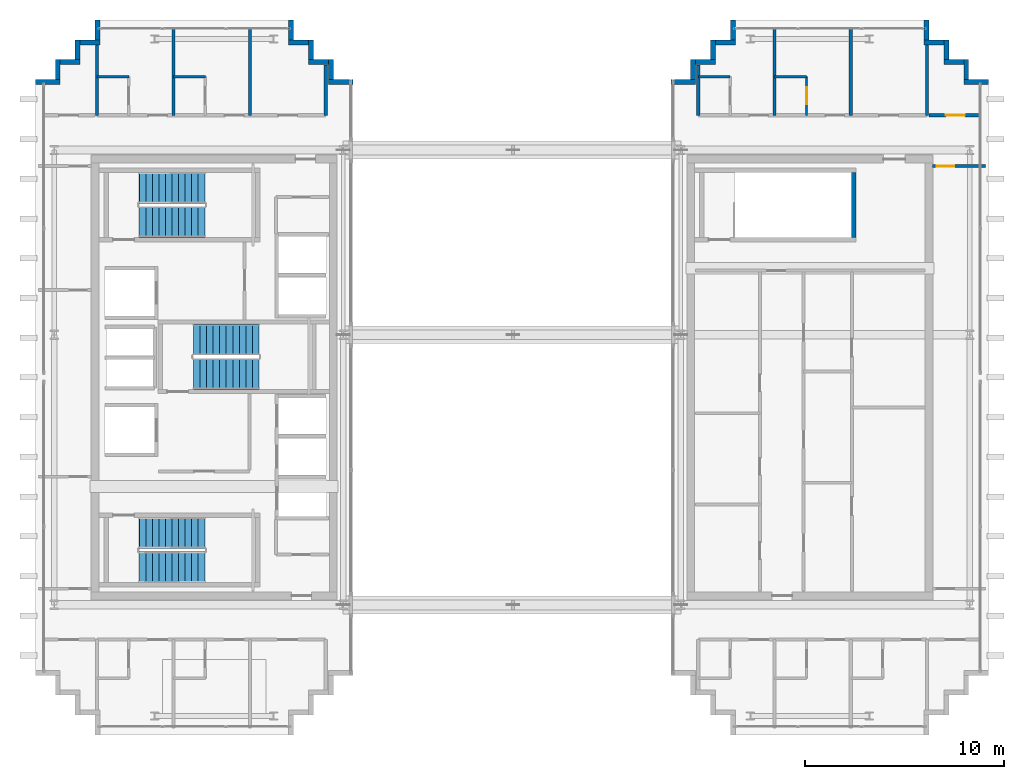
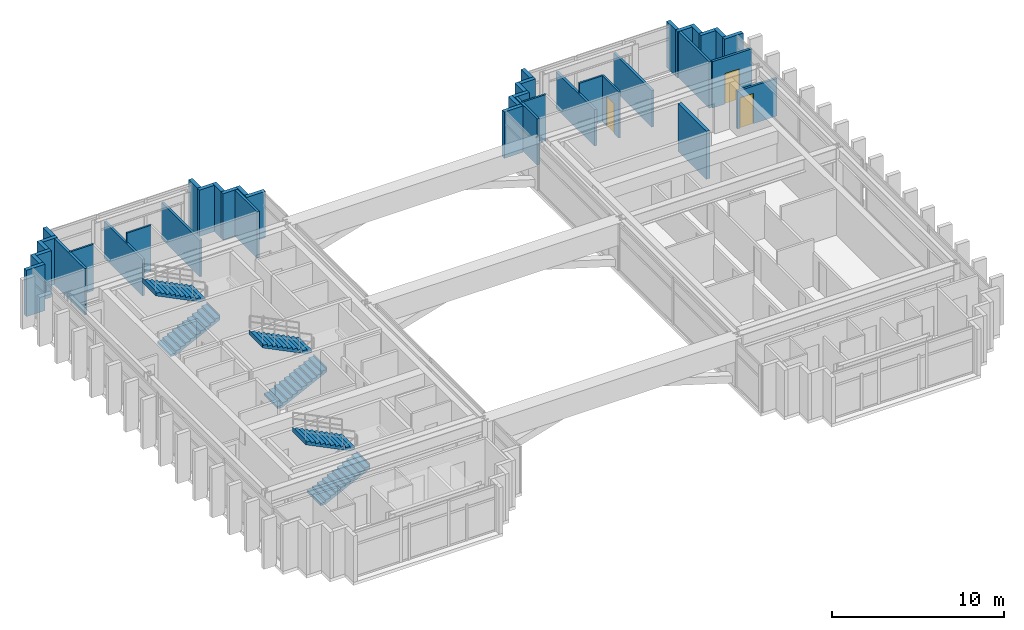
# One storey, part 26 of 28: 40 walls, 6 stair flights, 3 doors, 3 openings, 3 elements without a shape of their own.
"""IFC4 building model written with IfcOpenShell, lengths in metres."""

from ifc_helpers import new_model, si_unit, direction, frame, frame_2d, origin, place, context, subcontext, project, spatial, polyline, rectangle, outline, extrude, source, transform, mapped, material, layer, layer_set, type_object, element, fill, aggregate, save


model = new_model("IFC4")

# Units and contexts
model_context = context("Model", 3, precision=1e-05, world=origin(), true_north=direction((0.0, 1.0)))
body_context = subcontext(model_context, "Body", "Model", "MODEL_VIEW")
ifc_project = project(units=[si_unit("LENGTHUNIT", "METRE"), si_unit("AREAUNIT", "SQUARE_METRE"), si_unit("VOLUMEUNIT", "CUBIC_METRE"), si_unit("PLANEANGLEUNIT", "RADIAN"), si_unit("MASSUNIT", "GRAM", prefix="KILO")], contexts=[model_context])

# Site, building, storey
site_placement = place(None, origin())
site = spatial("IfcSite", under=ifc_project, at=site_placement, CompositionType="ELEMENT")
building_placement = place(site_placement, origin())
building = spatial("IfcBuilding", under=site, at=building_placement, Name="Ocotamira Hotel", CompositionType="ELEMENT")
storey_placement = place(building_placement, frame((0.0, 0.0, 268.800048828125)))
storey = spatial("IfcBuildingStorey", under=building, at=storey_placement, Name="L68", CompositionType="ELEMENT", Elevation=268.800048828125)

# Walls
ifc_material_1 = material(Name="Precast concrete C45/55", Category="concrete")
ifc_layer_1 = layer(ifc_material_1, 0.25)
ifc_layer_set_1 = layer_set([ifc_layer_1], Name="Precast concrete C45/55")
wall_type_1 = type_object("IfcWallType", Name="WL-EXT-SER-250", PredefinedType="SOLIDWALL", material=ifc_layer_set_1)
wall_1_placement = place(storey_placement, frame((24.0, 40.875, 0.0), z_axis=(0.0, 0.0, 1.0), x_axis=(-1.0, 0.0, 0.0)))
element("IfcWall", 1, at=wall_1_placement, inside=storey, type_object=wall_type_1, Name="L68 -W Serrated Corner Wall 07", PredefinedType="SOLIDWALL", context=body_context, shape_type="SweptSolid", body=[
    extrude(rectangle(XDim=1.25, YDim=0.25, at=frame_2d((0.625, 0.0))), origin(), (0.0, 0.0, 1.0), 3.280029296875),
])
for number, where, z_axis, x_axis, name in (
    (2, (22.875, 41.0, 0.0), (0.0, 0.0, 1.0), (0.0, 1.0, 0.0), "L68 -W Serrated Corner Wall 08"),
    (3, (22.75, 41.875, 0.0), (0.0, 0.0, 1.0), (-1.0, 0.0, 0.0), "L68 -W Serrated Corner Wall 09"),
    (4, (21.875, 42.0, 0.0), (0.0, 0.0, 1.0), (0.0, 1.0, 0.0), "L68 -W Serrated Corner Wall 10"),
    (5, (21.75, 42.875, 0.0), (0.0, 0.0, 1.0), (-1.0, 0.0, 0.0), "L68 -W Serrated Corner Wall 11"),
    (6, (20.875, 43.0, 0.0), (0.0, 0.0, 1.0), (0.0, 1.0, 0.0), "L68 -W Serrated Corner Wall 12"),
    (7, (11.125, 44.0, 0.0), (0.0, 0.0, 1.0), (0.0, -1.0, 0.0), "L68 -W Serrated Corner Wall 13"),
    (8, (11.25, 42.875, 0.0), (0.0, 0.0, 1.0), (-1.0, 0.0, 0.0), "L68 -W Serrated Corner Wall 14"),
    (9, (10.125, 43.0, 0.0), (0.0, 0.0, 1.0), (0.0, -1.0, 0.0), "L68 -W Serrated Corner Wall 15"),
    (10, (10.25, 41.875, 0.0), (0.0, 0.0, 1.0), (-1.0, 0.0, 0.0), "L68 -W Serrated Corner Wall 16"),
    (11, (9.125, 42.0, 0.0), (0.0, 0.0, 1.0), (0.0, -1.0, 0.0), "L68 -W Serrated Corner Wall 17"),
):
    element("IfcWall", number, at=place(storey_placement, frame(where, z_axis=z_axis, x_axis=x_axis)), inside=storey, type_object=wall_type_1, Name=name, PredefinedType="SOLIDWALL", context=body_context, shape_type="SweptSolid", body=[
        extrude(rectangle(XDim=1.0, YDim=0.25, at=frame_2d((0.5, 0.0))), origin(), (0.0, 0.0, 1.0), 3.280029296875),
    ])
for number, where, z_axis, x_axis, name in (
    (12, (9.25, 40.875, 0.0), (0.0, 0.0, 1.0), (-1.0, 0.0, 0.0), "L68 -W Serrated Corner Wall 18"),
    (13, (56.0, 40.875, 0.0), (0.0, 0.0, 1.0), (-1.0, 0.0, 0.0), "L68 -E Serrated Corner Wall 07"),
):
    element("IfcWall", number, at=place(storey_placement, frame(where, z_axis=z_axis, x_axis=x_axis)), inside=storey, type_object=wall_type_1, Name=name, PredefinedType="SOLIDWALL", context=body_context, shape_type="SweptSolid", body=[
        extrude(rectangle(XDim=1.25, YDim=0.25, at=frame_2d((0.625, 0.0))), origin(), (0.0, 0.0, 1.0), 3.280029296875),
    ])
for number, where, z_axis, x_axis, name in (
    (14, (54.875, 41.0, 0.0), (0.0, 0.0, 1.0), (0.0, 1.0, 0.0), "L68 -E Serrated Corner Wall 08"),
    (15, (54.75, 41.875, 0.0), (0.0, 0.0, 1.0), (-1.0, 0.0, 0.0), "L68 -E Serrated Corner Wall 09"),
    (16, (53.875, 42.0, 0.0), (0.0, 0.0, 1.0), (0.0, 1.0, 0.0), "L68 -E Serrated Corner Wall 10"),
    (17, (53.75, 42.875, 0.0), (0.0, 0.0, 1.0), (-1.0, 0.0, 0.0), "L68 -E Serrated Corner Wall 11"),
    (18, (52.875, 43.0, 0.0), (0.0, 0.0, 1.0), (0.0, 1.0, 0.0), "L68 -E Serrated Corner Wall 12"),
    (19, (43.125, 44.0, 0.0), (0.0, 0.0, 1.0), (0.0, -1.0, 0.0), "L68 -E Serrated Corner Wall 13"),
    (20, (43.25, 42.875, 0.0), (0.0, 0.0, 1.0), (-1.0, 0.0, 0.0), "L68 -E Serrated Corner Wall 14"),
    (21, (42.125, 43.0, 0.0), (0.0, 0.0, 1.0), (0.0, -1.0, 0.0), "L68 -E Serrated Corner Wall 15"),
    (22, (42.25, 41.875, 0.0), (0.0, 0.0, 1.0), (-1.0, 0.0, 0.0), "L68 -E Serrated Corner Wall 16"),
    (23, (41.125, 42.0, 0.0), (0.0, 0.0, 1.0), (0.0, -1.0, 0.0), "L68 -E Serrated Corner Wall 17"),
):
    element("IfcWall", number, at=place(storey_placement, frame(where, z_axis=z_axis, x_axis=x_axis)), inside=storey, type_object=wall_type_1, Name=name, PredefinedType="SOLIDWALL", context=body_context, shape_type="SweptSolid", body=[
        extrude(rectangle(XDim=1.0, YDim=0.25, at=frame_2d((0.5, 0.0))), origin(), (0.0, 0.0, 1.0), 3.280029296875),
    ])
wall_2_placement = place(storey_placement, frame((41.25, 40.875, 0.0), z_axis=(0.0, 0.0, 1.0), x_axis=(-1.0, 0.0, 0.0)))
element("IfcWall", 24, at=wall_2_placement, inside=storey, type_object=wall_type_1, Name="L68 -E Serrated Corner Wall 18", PredefinedType="SOLIDWALL", context=body_context, shape_type="SweptSolid", body=[
    extrude(rectangle(XDim=1.25, YDim=0.25, at=frame_2d((0.625, 0.0))), origin(), (0.0, 0.0, 1.0), 3.280029296875),
])

# Wall, opening, door
ifc_material_2 = material(Name="Acoustic double-layer fire gypsum board partition", Category="gypsum")
ifc_layer_2 = layer(ifc_material_2, 0.159912109375)
ifc_layer_set_2 = layer_set([ifc_layer_2], Name="Acoustic double-layer fire gypsum board partition")
wall_type_2 = type_object("IfcWallType", Name="WL-FIRE-160", PredefinedType="PARTITIONING", material=ifc_layer_set_2)
wall_3_placement = place(storey_placement, frame((53.0, 39.199951171875, 0.0), z_axis=(0.0, 0.0, 1.0), x_axis=(1.0, 0.0, 0.0)))
wall_3 = element("IfcWall", 25, at=wall_3_placement, inside=storey, type_object=wall_type_2, Name="L68 Interior Wall PW-L68-SPCNE2-CW", PredefinedType="PARTITIONING", context=body_context, shape_type="SweptSolid", body=[
    extrude(rectangle(XDim=2.64990234375, YDim=0.159912109375, at=frame_2d((1.324951171875, 0.0))), origin(), (0.0, 0.0, 1.0), 3.280029296875),
])
opening_1_placement = place(wall_3_placement, frame((0.844970703125, 0.0, 0.0)))
opening_1 = element("IfcOpeningElement", 26, at=opening_1_placement, cuts=wall_3, Name="Opening D-SV4", PredefinedType="OPENING", context=body_context, shape_type="SweptSolid", body=[
    extrude(rectangle(XDim=0.9599609375, YDim=2.14990234375, at=frame_2d((0.47998046875, 1.074951171875))), frame((0.0, 0.08984375, 0.0), z_axis=(0.0, -1.0, 0.0), x_axis=(1.0, 0.0, 0.0)), (0.0, 0.0, 1.0), 0.179931640625),
])
ifc_material_3 = material(Name="Fire-rated accessible walnut salon door", Category="wood")
door_type_1 = type_object("IfcDoorType", Name="DR-SERV-960", OperationType="NOTDEFINED", PredefinedType="DOOR", material=ifc_material_3)
shared_shape_1 = source(origin(), body_context, "Body", "SweptSolid", [
    extrude(rectangle(XDim=0.9599609375, YDim=2.14990234375, at=frame_2d((0.47998046875, 1.074951171875))), frame((0.0, 0.02490234375, 0.0), z_axis=(0.0, -1.0, 0.0), x_axis=(1.0, 0.0, 0.0)), (0.0, 0.0, 1.0), 0.050048828125),
])
door_1_placement = place(opening_1_placement, origin())
door_1 = element("IfcDoor", 27, at=door_1_placement, inside=storey, type_object=door_type_1, Name="L68 Door ID-L68-SPCNE2-CD [ID-L68-SPCNE2-CD]", OperationType="SINGLE_SWING_LEFT", OverallHeight=2.14990234375, OverallWidth=0.9599609375, PredefinedType="DOOR", context=body_context, shape_type="MappedRepresentation", body=[
    mapped(shared_shape_1, transform((0.0, 0.0, 0.0), scale=1.0)),
])
fill(opening_1, door_1)

# Walls
ifc_material_4 = material(Name="Moisture-resistant en-suite tile and gypsum partition", Category="gypsum")
ifc_layer_3 = layer(ifc_material_4, 0.1201171875)
ifc_layer_set_3 = layer_set([ifc_layer_3], Name="Moisture-resistant en-suite tile and gypsum partition")
wall_type_3 = type_object("IfcWallType", Name="WL-PART-120", PredefinedType="PARTITIONING", material=ifc_layer_set_3)
wall_4_placement = place(storey_placement, frame((11.10009765625, 41.14990234375, 0.0), z_axis=(0.0, 0.0, 1.0), x_axis=(1.0, 0.0, 0.0)))
element("IfcWall", 28, at=wall_4_placement, inside=storey, type_object=wall_type_3, Name="L68 Interior Wall PW-L68-SPW2N-BAN1", PredefinedType="PARTITIONING", context=body_context, shape_type="SweptSolid", body=[
    extrude(rectangle(XDim=1.60986328125, YDim=0.1201171875, at=frame_2d((0.804931640625, 0.0))), origin(), (0.0, 0.0, 1.0), 3.280029296875),
])
for number, where, z_axis, x_axis, name in (
    (29, (14.949951171875, 41.14990234375, 0.0), (0.0, 0.0, 1.0), (1.0, 0.0, 0.0), "L68 Interior Wall PW-L68-SPW2N-BAN2"),
    (30, (41.3798828125, 41.14990234375, 0.0), (0.0, 0.0, 1.0), (1.0, 0.0, 0.0), "L68 Interior Wall PW-L68-SPE2N-BAN1"),
):
    element("IfcWall", number, at=place(storey_placement, frame(where, z_axis=z_axis, x_axis=x_axis)), inside=storey, type_object=wall_type_3, Name=name, PredefinedType="PARTITIONING", context=body_context, shape_type="SweptSolid", body=[
        extrude(rectangle(XDim=1.610107421875, YDim=0.1201171875, at=frame_2d((0.80517578125, 0.0))), origin(), (0.0, 0.0, 1.0), 3.280029296875),
    ])

# Wall, opening, door
wall_5_placement = place(storey_placement, frame((46.830078125, 39.199951171875, 0.0), z_axis=(0.0, 0.0, 1.0), x_axis=(0.0, 1.0, 0.0)))
wall_5 = element("IfcWall", 31, at=wall_5_placement, inside=storey, type_object=wall_type_3, Name="L68 Interior Wall PW-L68-SPE2N-BAE2", PredefinedType="PARTITIONING", context=body_context, shape_type="SweptSolid", body=[
    extrude(rectangle(XDim=1.949951171875, YDim=0.1201171875, at=frame_2d((0.97509765625, 0.0))), origin(), (0.0, 0.0, 1.0), 3.280029296875),
])
opening_2_placement = place(wall_5_placement, frame((0.544921875, 0.0, 0.0)))
opening_2 = element("IfcOpeningElement", 32, at=opening_2_placement, cuts=wall_5, Name="Opening D-BA1", PredefinedType="OPENING", context=body_context, shape_type="SweptSolid", body=[
    extrude(rectangle(XDim=0.860107421875, YDim=2.10009765625, at=frame_2d((0.43017578125, 1.050048828125))), frame((0.0, 0.070068359375, 0.0), z_axis=(0.0, -1.0, 0.0), x_axis=(1.0, 0.0, 0.0)), (0.0, 0.0, 1.0), 0.14013671875),
])
ifc_material_5 = material(Name="Moisture-sealed en-suite timber door", Category="wood")
door_type_2 = type_object("IfcDoorType", Name="DR-BATH-860", OperationType="NOTDEFINED", PredefinedType="DOOR", material=ifc_material_5)
shared_shape_2 = source(origin(), body_context, "Body", "SweptSolid", [
    extrude(rectangle(XDim=0.860107421875, YDim=2.10009765625, at=frame_2d((0.43017578125, 1.050048828125))), frame((0.0, 0.02490234375, 0.0), z_axis=(0.0, -1.0, 0.0), x_axis=(1.0, 0.0, 0.0)), (0.0, 0.0, 1.0), 0.050048828125),
])
door_2_placement = place(opening_2_placement, origin())
door_2 = element("IfcDoor", 33, at=door_2_placement, inside=storey, type_object=door_type_2, Name="L68 Door ID-L68-SPE2N-BAD2 [ID-L68-SPE2N-BAD2]", OperationType="SINGLE_SWING_LEFT", OverallHeight=2.10009765625, OverallWidth=0.860107421875, PredefinedType="DOOR", context=body_context, shape_type="MappedRepresentation", body=[
    mapped(shared_shape_2, transform((0.0, 0.0, 0.0), scale=1.0)),
])
fill(opening_2, door_2)

# Wall
wall_6_placement = place(storey_placement, frame((45.219970703125, 41.14990234375, 0.0), z_axis=(0.0, 0.0, 1.0), x_axis=(1.0, 0.0, 0.0)))
element("IfcWall", 34, at=wall_6_placement, inside=storey, type_object=wall_type_3, Name="L68 Interior Wall PW-L68-SPE2N-BAN2", PredefinedType="PARTITIONING", context=body_context, shape_type="SweptSolid", body=[
    extrude(rectangle(XDim=1.610107421875, YDim=0.1201171875, at=frame_2d((0.80517578125, 0.0))), origin(), (0.0, 0.0, 1.0), 3.280029296875),
])

# Wall, opening, door
ifc_material_6 = material(Name="Acoustic hospitality gypsum board partition", Category="gypsum")
ifc_layer_4 = layer(ifc_material_6, 0.14990234375)
ifc_layer_set_4 = layer_set([ifc_layer_4], Name="Acoustic hospitality gypsum board partition")
wall_type_4 = type_object("IfcWallType", Name="WL-PART-150", PredefinedType="PARTITIONING", material=ifc_layer_set_4)
wall_7_placement = place(storey_placement, frame((53.179931640625, 36.639892578125, 0.0), z_axis=(0.0, 0.0, 1.0), x_axis=(1.0, 0.0, 0.0)))
wall_7 = element("IfcWall", 35, at=wall_7_placement, inside=storey, type_object=wall_type_4, Name="L68 Interior Wall PW-L68-SP2E-WN", PredefinedType="PARTITIONING", context=body_context, shape_type="SweptSolid", body=[
    extrude(rectangle(XDim=2.66015625, YDim=0.14990234375, at=frame_2d((1.330078125, 0.0))), origin(), (0.0, 0.0, 1.0), 2.662841796875),
])
opening_3_placement = place(wall_7_placement, frame((0.199951171875, 0.0, 0.0)))
opening_3 = element("IfcOpeningElement", 36, at=opening_3_placement, cuts=wall_7, Name="Opening D-SV2", PredefinedType="OPENING", context=body_context, shape_type="SweptSolid", body=[
    extrude(rectangle(XDim=0.8798828125, YDim=2.14990234375, at=frame_2d((0.43994140625, 1.074951171875))), frame((0.0, 0.0849609375, 0.0), z_axis=(0.0, -1.0, 0.0), x_axis=(1.0, 0.0, 0.0)), (0.0, 0.0, 1.0), 0.169921875),
])
ifc_material_7 = material(Name="Fire-rated painted steel service door", Category="steel")
door_type_3 = type_object("IfcDoorType", Name="DR-SERV-880", OperationType="NOTDEFINED", PredefinedType="DOOR", material=ifc_material_7)
shared_shape_3 = source(origin(), body_context, "Body", "SweptSolid", [
    extrude(rectangle(XDim=0.8798828125, YDim=2.14990234375, at=frame_2d((0.43994140625, 1.074951171875))), frame((0.0, 0.02490234375, 0.0), z_axis=(0.0, -1.0, 0.0), x_axis=(1.0, 0.0, 0.0)), (0.0, 0.0, 1.0), 0.050048828125),
])
door_3_placement = place(opening_3_placement, origin())
door_3 = element("IfcDoor", 37, at=door_3_placement, inside=storey, type_object=door_type_3, Name="L68 Door ID-L68-SP2E-DN [ID-L68-SP2E-DN]", OperationType="SINGLE_SWING_LEFT", OverallHeight=2.14990234375, OverallWidth=0.8798828125, PredefinedType="DOOR", context=body_context, shape_type="MappedRepresentation", body=[
    mapped(shared_shape_3, transform((0.0, 0.0, 0.0), scale=1.0)),
])
fill(opening_3, door_3)

# Walls
ifc_material_8 = material(Name="Acoustic double-stud hospitality gypsum partition", Category="gypsum")
ifc_layer_5 = layer(ifc_material_8, 0.159912109375)
ifc_layer_set_5 = layer_set([ifc_layer_5], Name="Acoustic double-stud hospitality gypsum partition")
wall_type_5 = type_object("IfcWallType", Name="WL-PART-160", PredefinedType="PARTITIONING", material=ifc_layer_set_5)
wall_8_placement = place(storey_placement, frame((11.10009765625, 39.199951171875, 0.0), z_axis=(0.0, 0.0, 1.0), x_axis=(0.0, 1.0, 0.0)))
element("IfcWall", 38, at=wall_8_placement, inside=storey, type_object=wall_type_5, Name="L68 Interior Wall PW-L68-SPW2N-PW0", PredefinedType="PARTITIONING", context=body_context, shape_type="SweptSolid", body=[
    extrude(rectangle(XDim=3.5400390625, YDim=0.159912109375, at=frame_2d((1.77001953125, 0.0))), origin(), (0.0, 0.0, 1.0), 3.280029296875),
])
wall_9_placement = place(storey_placement, frame((22.6201171875, 39.199951171875, 0.0), z_axis=(0.0, 0.0, 1.0), x_axis=(0.0, 1.0, 0.0)))
element("IfcWall", 39, at=wall_9_placement, inside=storey, type_object=wall_type_5, Name="L68 Interior Wall PW-L68-SPW2N-PWEND", PredefinedType="PARTITIONING", context=body_context, shape_type="SweptSolid", body=[
    extrude(rectangle(XDim=2.5400390625, YDim=0.159912109375, at=frame_2d((1.27001953125, 0.0))), origin(), (0.0, 0.0, 1.0), 3.280029296875),
])
for number, where, z_axis, x_axis, name in (
    (40, (14.949951171875, 39.199951171875, 0.0), (0.0, 0.0, 1.0), (0.0, 1.0, 0.0), "L68 Interior Wall PW-L68-SPW2N-PW1"),
    (41, (18.800048828125, 39.199951171875, 0.0), (0.0, 0.0, 1.0), (0.0, 1.0, 0.0), "L68 Interior Wall PW-L68-SPW2N-PW2"),
):
    element("IfcWall", number, at=place(storey_placement, frame(where, z_axis=z_axis, x_axis=x_axis)), inside=storey, type_object=wall_type_5, Name=name, PredefinedType="PARTITIONING", context=body_context, shape_type="SweptSolid", body=[
        extrude(rectangle(XDim=4.43994140625, YDim=0.159912109375, at=frame_2d((2.219970703125, 0.0))), origin(), (0.0, 0.0, 1.0), 2.5869140625),
    ])
wall_10_placement = place(storey_placement, frame((41.3798828125, 39.199951171875, 0.0), z_axis=(0.0, 0.0, 1.0), x_axis=(0.0, 1.0, 0.0)))
element("IfcWall", 42, at=wall_10_placement, inside=storey, type_object=wall_type_5, Name="L68 Interior Wall PW-L68-SPE2N-PW0", PredefinedType="PARTITIONING", context=body_context, shape_type="SweptSolid", body=[
    extrude(rectangle(XDim=2.5400390625, YDim=0.159912109375, at=frame_2d((1.27001953125, 0.0))), origin(), (0.0, 0.0, 1.0), 3.280029296875),
])
wall_11_placement = place(storey_placement, frame((52.89990234375, 39.199951171875, 0.0), z_axis=(0.0, 0.0, 1.0), x_axis=(0.0, 1.0, 0.0)))
element("IfcWall", 43, at=wall_11_placement, inside=storey, type_object=wall_type_5, Name="L68 Interior Wall PW-L68-SPE2N-PWEND", PredefinedType="PARTITIONING", context=body_context, shape_type="SweptSolid", body=[
    extrude(rectangle(XDim=3.5400390625, YDim=0.159912109375, at=frame_2d((1.77001953125, 0.0))), origin(), (0.0, 0.0, 1.0), 3.280029296875),
])
for number, where, z_axis, x_axis, name in (
    (44, (45.219970703125, 39.199951171875, 0.0), (0.0, 0.0, 1.0), (0.0, 1.0, 0.0), "L68 Interior Wall PW-L68-SPE2N-PW1"),
    (45, (49.06005859375, 39.199951171875, 0.0), (0.0, 0.0, 1.0), (0.0, 1.0, 0.0), "L68 Interior Wall PW-L68-SPE2N-PW2"),
):
    element("IfcWall", number, at=place(storey_placement, frame(where, z_axis=z_axis, x_axis=x_axis)), inside=storey, type_object=wall_type_5, Name=name, PredefinedType="PARTITIONING", context=body_context, shape_type="SweptSolid", body=[
        extrude(rectangle(XDim=4.43994140625, YDim=0.159912109375, at=frame_2d((2.219970703125, 0.0))), origin(), (0.0, 0.0, 1.0), 2.5869140625),
    ])
ifc_material_9 = material(Name="Concrete C50/60", Category="concrete")
ifc_layer_6 = layer(ifc_material_9, 0.219970703125)
ifc_layer_set_6 = layer_set([ifc_layer_6], Name="Concrete C50/60")
wall_type_6 = type_object("IfcWallType", Name="WL-STAIR-220", PredefinedType="SHEAR", material=ifc_layer_set_6)
wall_12_placement = place(storey_placement, frame((49.199951171875, 33.050048828125, 0.0), z_axis=(0.0, 0.0, 1.0), x_axis=(0.0, 1.0, 0.0)))
element("IfcWall", 46, at=wall_12_placement, inside=storey, type_object=wall_type_6, Name="L68 Stair Shaft Structural Wall ST-4-E", PredefinedType="SHEAR", context=body_context, shape_type="SweptSolid", body=[
    extrude(rectangle(XDim=3.280029296875, YDim=0.219970703125, at=frame_2d((1.64013671875, 0.0))), origin(), (0.0, 0.0, 1.0), 3.39990234375),
])

# Stair, stair flights
ifc_material_10 = material(Name="Concrete C40/50", Category="concrete")
stair_type = type_object("IfcStairType", Name="ST-CORE-1560", PredefinedType="HALF_TURN_STAIR", material=ifc_material_10)
stair_1_placement = place(storey_placement, origin())
stair_1 = element("IfcStair", 47, at=stair_1_placement, inside=storey, type_object=stair_type, Name="L68 Exit Stair ST-1", PredefinedType="HALF_TURN_STAIR")
stair_flight_type = type_object("IfcStairFlightType", Name="STF-CORE-1560", PredefinedType="STRAIGHT", material=ifc_material_10)
shared_shape_4 = source(origin(), body_context, "Body", "SweptSolid", [
    extrude(outline(polyline([(-0.00390625, 0.0), (-0.00390625, 0.16357421875), (0.330078125, 0.16357421875), (0.330078125, 0.327392578125), (0.659912109375, 0.327392578125), (0.659912109375, 0.490966796875), (0.989990234375, 0.490966796875), (0.989990234375, 0.654541015625), (1.320068359375, 0.654541015625), (1.320068359375, 0.818115234375), (1.64990234375, 0.818115234375), (1.64990234375, 0.98193359375), (1.97998046875, 0.98193359375), (1.97998046875, 1.1455078125), (2.31005859375, 1.1455078125), (2.31005859375, 1.30908203125), (2.639892578125, 1.30908203125), (2.639892578125, 1.47265625), (2.969970703125, 1.47265625), (2.969970703125, 1.636474609375), (3.300048828125, 1.636474609375), (3.300048828125, 1.800048828125), (3.303955078125, 1.800048828125), (3.303955078125, 1.468994140625), (0.33740234375, 0.0), (-0.00390625, 0.0)])), frame((0.0, 0.780029296875, 0.0), z_axis=(0.0, -1.0, 0.0), x_axis=(1.0, 0.0, 0.0)), (0.0, 0.0, 1.0), 1.56005859375),
])
stair_flight_1_placement = place(storey_placement, frame((13.22998046875, 16.449951171875, 0.0), z_axis=(0.0, 0.0, 1.0), x_axis=(1.0, 0.0, 0.0)))
stair_flight_1 = element("IfcStairFlight", 48, at=stair_flight_1_placement, type_object=stair_flight_type, Name="ST-1 flight 1", NumberOfRisers=11, NumberOfTreads=10, PredefinedType="STRAIGHT", RiserHeight=0.163636364, TreadLength=0.33, context=body_context, shape_type="MappedRepresentation", body=[
    mapped(shared_shape_4, transform((0.0, 0.0, 0.0), scale=1.0)),
])
stair_flight_2_placement = place(storey_placement, frame((16.530029296875, 18.169921875, 1.800048828125), z_axis=(0.0, 0.0, 1.0), x_axis=(-1.0, 0.0, 0.0)))
stair_flight_2 = element("IfcStairFlight", 49, at=stair_flight_2_placement, type_object=stair_flight_type, Name="ST-1 flight 2", NumberOfRisers=11, NumberOfTreads=10, PredefinedType="STRAIGHT", RiserHeight=0.163636364, TreadLength=0.33, context=body_context, shape_type="MappedRepresentation", body=[
    mapped(shared_shape_4, transform((0.0, 0.0, 0.0), scale=1.0)),
])
aggregate(stair_1, [stair_flight_1, stair_flight_2])

stair_2_placement = place(storey_placement, origin())
stair_2 = element("IfcStair", 50, at=stair_2_placement, inside=storey, type_object=stair_type, Name="L68 Exit Stair ST-2", PredefinedType="HALF_TURN_STAIR")
stair_flight_3_placement = place(storey_placement, frame((13.22998046875, 33.830078125, 0.0), z_axis=(0.0, 0.0, 1.0), x_axis=(1.0, 0.0, 0.0)))
stair_flight_3 = element("IfcStairFlight", 51, at=stair_flight_3_placement, type_object=stair_flight_type, Name="ST-2 flight 1", NumberOfRisers=11, NumberOfTreads=10, PredefinedType="STRAIGHT", RiserHeight=0.163636364, TreadLength=0.33, context=body_context, shape_type="MappedRepresentation", body=[
    mapped(shared_shape_4, transform((0.0, 0.0, 0.0), scale=1.0)),
])
stair_flight_4_placement = place(storey_placement, frame((16.530029296875, 35.550048828125, 1.800048828125), z_axis=(0.0, 0.0, 1.0), x_axis=(-1.0, 0.0, 0.0)))
stair_flight_4 = element("IfcStairFlight", 52, at=stair_flight_4_placement, type_object=stair_flight_type, Name="ST-2 flight 2", NumberOfRisers=11, NumberOfTreads=10, PredefinedType="STRAIGHT", RiserHeight=0.163636364, TreadLength=0.33, context=body_context, shape_type="MappedRepresentation", body=[
    mapped(shared_shape_4, transform((0.0, 0.0, 0.0), scale=1.0)),
])
aggregate(stair_2, [stair_flight_3, stair_flight_4])

stair_3_placement = place(storey_placement, origin())
stair_3 = element("IfcStair", 53, at=stair_3_placement, inside=storey, type_object=stair_type, Name="L68 Exit Stair ST-3", PredefinedType="HALF_TURN_STAIR")
stair_flight_5_placement = place(storey_placement, frame((15.9599609375, 26.179931640625, 0.0), z_axis=(0.0, 0.0, 1.0), x_axis=(1.0, 0.0, 0.0)))
stair_flight_5 = element("IfcStairFlight", 54, at=stair_flight_5_placement, type_object=stair_flight_type, Name="ST-3 flight 1", NumberOfRisers=11, NumberOfTreads=10, PredefinedType="STRAIGHT", RiserHeight=0.163636364, TreadLength=0.33, context=body_context, shape_type="MappedRepresentation", body=[
    mapped(shared_shape_4, transform((0.0, 0.0, 0.0), scale=1.0)),
])
stair_flight_6_placement = place(storey_placement, frame((19.260009765625, 27.89990234375, 1.800048828125), z_axis=(0.0, 0.0, 1.0), x_axis=(-1.0, 0.0, 0.0)))
stair_flight_6 = element("IfcStairFlight", 55, at=stair_flight_6_placement, type_object=stair_flight_type, Name="ST-3 flight 2", NumberOfRisers=11, NumberOfTreads=10, PredefinedType="STRAIGHT", RiserHeight=0.163636364, TreadLength=0.33, context=body_context, shape_type="MappedRepresentation", body=[
    mapped(shared_shape_4, transform((0.0, 0.0, 0.0), scale=1.0)),
])
aggregate(stair_3, [stair_flight_5, stair_flight_6])

save(model, "model.ifc")
